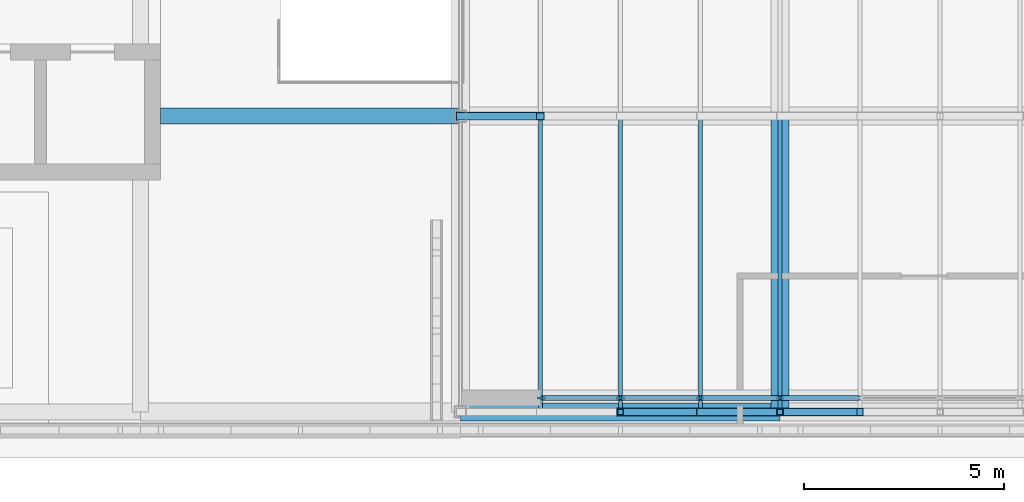
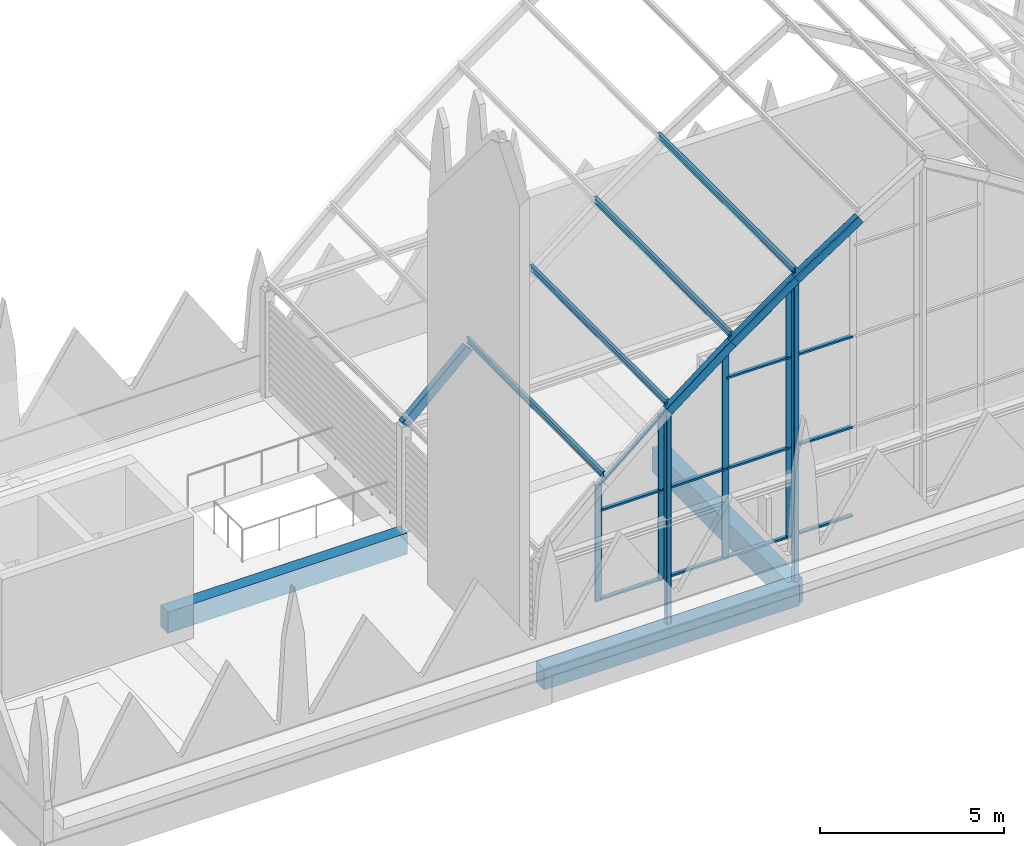
# One storey, part 3 of 18: 28 members, 3 beams, 1 element without a shape of its own.
"""IFC4 building model written with IfcOpenShell, lengths in metres."""

from ifc_helpers import new_model, si_unit, direction, frame, origin, origin_2d, place, context, subcontext, project, spatial, rectangle, hollow_rectangle, i_section, extrude, material, layer, layer_set, material_profile, profile_set, type_object, element, aggregate, save


model = new_model("IFC4")

# Units and contexts
model_context = context("Model", 3, precision=1e-05, world=origin(), true_north=direction((0.0, 1.0)))
body_context = subcontext(model_context, "Body", "Model", "MODEL_VIEW")
ifc_project = project(units=[si_unit("LENGTHUNIT", "METRE"), si_unit("AREAUNIT", "SQUARE_METRE"), si_unit("VOLUMEUNIT", "CUBIC_METRE"), si_unit("PLANEANGLEUNIT", "RADIAN"), si_unit("MASSUNIT", "GRAM", prefix="KILO")], contexts=[model_context])

# Site, building, storey
site_placement = place(None, origin())
site = spatial("IfcSite", under=ifc_project, at=site_placement, CompositionType="ELEMENT")
building_placement = place(site_placement, origin())
building = spatial("IfcBuilding", under=site, at=building_placement, Name="Lantern Court Media Centre", CompositionType="ELEMENT")
storey_placement = place(building_placement, frame((0.0, 0.0, 33.60009765625)))
storey = spatial("IfcBuildingStorey", under=building, at=storey_placement, Name="R00", CompositionType="ELEMENT", Elevation=33.60009765625)

# Curtain wall, members
ifc_material_1 = material(Name="Aluminium and glass", Category="aluminium")
ifc_layer = layer(ifc_material_1, 0.14990234375)
ifc_layer_set = layer_set([ifc_layer], Name="Aluminium and glass")
curtain_wall_type = type_object("IfcCurtainWallType", Name="Hall lancet glazing", PredefinedType="NOTDEFINED", material=ifc_layer_set)
curtain_wall_placement = place(storey_placement, origin())
curtain_wall = element("IfcCurtainWall", 1, at=curtain_wall_placement, inside=storey, type_object=curtain_wall_type, Name="Terrace pavilion HCW-V30 glazing", PredefinedType="NOTDEFINED")
ifc_material_2 = material(Name="Aluminium, anodised", Category="aluminium")
ifc_material_profile_1 = material_profile(ifc_material_2, rectangle(XDim=0.06005859375, YDim=0.199951171875, at=origin_2d()), Name="HM")
ifc_profile_set_1 = profile_set([ifc_material_profile_1], Name="Aluminium, anodised")
member_type_1 = type_object("IfcMemberType", Name="HM", PredefinedType="MULLION", material=ifc_profile_set_1)
member_1_placement = place(storey_placement, frame((42.030029296875, 42.949951171875, 1.199951171875), z_axis=(0.0, 0.0, 1.0), x_axis=(0.0, 1.0, 0.0)))
member_1 = element("IfcMember", 2, at=member_1_placement, type_object=member_type_1, Name="HCW-V30 mullion 1", PredefinedType="MULLION", context=body_context, shape_type="SweptSolid", body=[
    extrude(rectangle(XDim=0.06005859375, YDim=0.199951171875, at=origin_2d()), origin(), (0.0, 0.0, 1.0), 3.875244140625),
])
member_2_placement = place(storey_placement, frame((44.0, 42.949951171875, 1.199951171875), z_axis=(0.0, 0.0, 1.0), x_axis=(0.0, 1.0, 0.0)))
member_2 = element("IfcMember", 3, at=member_2_placement, type_object=member_type_1, Name="HCW-V30 mullion 2", PredefinedType="MULLION", context=body_context, shape_type="SweptSolid", body=[
    extrude(rectangle(XDim=0.06005859375, YDim=0.199951171875, at=origin_2d()), origin(), (0.0, 0.0, 1.0), 5.538818359375),
])
member_3_placement = place(storey_placement, frame((46.0, 42.949951171875, 1.199951171875), z_axis=(0.0, 0.0, 1.0), x_axis=(0.0, 1.0, 0.0)))
member_3 = element("IfcMember", 4, at=member_3_placement, type_object=member_type_1, Name="HCW-V30 mullion 3", PredefinedType="MULLION", context=body_context, shape_type="SweptSolid", body=[
    extrude(rectangle(XDim=0.06005859375, YDim=0.199951171875, at=origin_2d()), origin(), (0.0, 0.0, 1.0), 7.0869140625),
])
member_4_placement = place(storey_placement, frame((48.0, 42.949951171875, 1.199951171875), z_axis=(0.0, 0.0, 1.0), x_axis=(0.0, 1.0, 0.0)))
member_4 = element("IfcMember", 5, at=member_4_placement, type_object=member_type_1, Name="HCW-V30 mullion 4", PredefinedType="MULLION", context=body_context, shape_type="SweptSolid", body=[
    extrude(rectangle(XDim=0.06005859375, YDim=0.199951171875, at=origin_2d()), origin(), (0.0, 0.0, 1.0), 8.50634765625),
])
ifc_material_profile_2 = material_profile(ifc_material_2, rectangle(XDim=0.1201171875, YDim=0.06005859375, at=origin_2d()), Name="HT")
ifc_profile_set_2 = profile_set([ifc_material_profile_2], Name="Aluminium, anodised")
member_type_2 = type_object("IfcMemberType", Name="HT", PredefinedType="USERDEFINED", material=ifc_profile_set_2)
member_5_placement = place(storey_placement, frame((42.06005859375, 42.949951171875, 1.260009765625), z_axis=(1.0, 0.0, 0.0), x_axis=(0.0, 1.0, 0.0)))
member_5 = element("IfcMember", 6, at=member_5_placement, type_object=member_type_2, Name="HCW-V30 transom 1.1", ObjectType="TRANSOM", PredefinedType="USERDEFINED", context=body_context, shape_type="SweptSolid", body=[
    extrude(rectangle(XDim=0.1201171875, YDim=0.06005859375, at=origin_2d()), origin(), (0.0, 0.0, 1.0), 1.909912109375),
])
member_6_placement = place(storey_placement, frame((42.06005859375, 42.949951171875, 4.199951171875), z_axis=(1.0, 0.0, 0.0), x_axis=(0.0, 1.0, 0.0)))
member_6 = element("IfcMember", 7, at=member_6_placement, type_object=member_type_2, Name="HCW-V30 transom 1.2", ObjectType="TRANSOM", PredefinedType="USERDEFINED", context=body_context, shape_type="SweptSolid", body=[
    extrude(rectangle(XDim=0.1201171875, YDim=0.06005859375, at=origin_2d()), origin(), (0.0, 0.0, 1.0), 1.909912109375),
])
member_7_placement = place(storey_placement, frame((42.06005859375, 42.949951171875, 5.04150390625), z_axis=(0.763986053412, 0.0, 0.645232756602), x_axis=(0.0, 1.0, 0.0)))
member_7 = element("IfcMember", 8, at=member_7_placement, type_object=member_type_2, Name="HCW-V30 head member 1", ObjectType="TRANSOM", PredefinedType="USERDEFINED", context=body_context, shape_type="SweptSolid", body=[
    extrude(rectangle(XDim=0.1201171875, YDim=0.06005859375, at=origin_2d()), origin(), (0.0, 0.0, 1.0), 2.5),
])
member_8_placement = place(storey_placement, frame((44.030029296875, 42.949951171875, 1.260009765625), z_axis=(1.0, 0.0, 0.0), x_axis=(0.0, 1.0, 0.0)))
member_8 = element("IfcMember", 9, at=member_8_placement, type_object=member_type_2, Name="HCW-V30 transom 2.1", ObjectType="TRANSOM", PredefinedType="USERDEFINED", context=body_context, shape_type="SweptSolid", body=[
    extrude(rectangle(XDim=0.1201171875, YDim=0.06005859375, at=origin_2d()), origin(), (0.0, 0.0, 1.0), 1.93994140625),
])
member_9_placement = place(storey_placement, frame((44.030029296875, 42.949951171875, 4.199951171875), z_axis=(1.0, 0.0, 0.0), x_axis=(0.0, 1.0, 0.0)))
member_9 = element("IfcMember", 10, at=member_9_placement, type_object=member_type_2, Name="HCW-V30 transom 2.2", ObjectType="TRANSOM", PredefinedType="USERDEFINED", context=body_context, shape_type="SweptSolid", body=[
    extrude(rectangle(XDim=0.1201171875, YDim=0.06005859375, at=origin_2d()), origin(), (0.0, 0.0, 1.0), 1.93994140625),
])
member_10_placement = place(storey_placement, frame((44.030029296875, 42.949951171875, 6.703125), z_axis=(0.790807617855, 0.0, 0.612064793582), x_axis=(0.0, 1.0, 0.0)))
member_10 = element("IfcMember", 11, at=member_10_placement, type_object=member_type_2, Name="HCW-V30 head member 2", ObjectType="TRANSOM", PredefinedType="USERDEFINED", context=body_context, shape_type="SweptSolid", body=[
    extrude(rectangle(XDim=0.1201171875, YDim=0.06005859375, at=origin_2d()), origin(), (0.0, 0.0, 1.0), 2.453125),
])
member_11_placement = place(storey_placement, frame((46.030029296875, 42.949951171875, 1.260009765625), z_axis=(1.0, 0.0, 0.0), x_axis=(0.0, 1.0, 0.0)))
member_11 = element("IfcMember", 12, at=member_11_placement, type_object=member_type_2, Name="HCW-V30 transom 3.1", ObjectType="TRANSOM", PredefinedType="USERDEFINED", context=body_context, shape_type="SweptSolid", body=[
    extrude(rectangle(XDim=0.1201171875, YDim=0.06005859375, at=origin_2d()), origin(), (0.0, 0.0, 1.0), 1.93994140625),
])
member_12_placement = place(storey_placement, frame((46.030029296875, 42.949951171875, 4.199951171875), z_axis=(1.0, 0.0, 0.0), x_axis=(0.0, 1.0, 0.0)))
member_12 = element("IfcMember", 13, at=member_12_placement, type_object=member_type_2, Name="HCW-V30 transom 3.2", ObjectType="TRANSOM", PredefinedType="USERDEFINED", context=body_context, shape_type="SweptSolid", body=[
    extrude(rectangle(XDim=0.1201171875, YDim=0.06005859375, at=origin_2d()), origin(), (0.0, 0.0, 1.0), 1.93994140625),
])
member_13_placement = place(storey_placement, frame((46.030029296875, 42.949951171875, 7.199951171875), z_axis=(1.0, 0.0, 0.0), x_axis=(0.0, 1.0, 0.0)))
member_13 = element("IfcMember", 14, at=member_13_placement, type_object=member_type_2, Name="HCW-V30 transom 3.3", ObjectType="TRANSOM", PredefinedType="USERDEFINED", context=body_context, shape_type="SweptSolid", body=[
    extrude(rectangle(XDim=0.1201171875, YDim=0.06005859375, at=origin_2d()), origin(), (0.0, 0.0, 1.0), 1.93994140625),
])
member_14_placement = place(storey_placement, frame((46.030029296875, 42.949951171875, 8.2490234375), z_axis=(0.815511832387, 0.0, 0.578740400557), x_axis=(0.0, 1.0, 0.0)))
member_14 = element("IfcMember", 15, at=member_14_placement, type_object=member_type_2, Name="HCW-V30 head member 3", ObjectType="TRANSOM", PredefinedType="USERDEFINED", context=body_context, shape_type="SweptSolid", body=[
    extrude(rectangle(XDim=0.1201171875, YDim=0.06005859375, at=origin_2d()), origin(), (0.0, 0.0, 1.0), 2.37890625),
])
member_15_placement = place(storey_placement, frame((48.030029296875, 42.949951171875, 1.260009765625), z_axis=(1.0, 0.0, 0.0), x_axis=(0.0, 1.0, 0.0)))
member_15 = element("IfcMember", 16, at=member_15_placement, type_object=member_type_2, Name="HCW-V30 transom 4.1", ObjectType="TRANSOM", PredefinedType="USERDEFINED", context=body_context, shape_type="SweptSolid", body=[
    extrude(rectangle(XDim=0.1201171875, YDim=0.06005859375, at=origin_2d()), origin(), (0.0, 0.0, 1.0), 1.93994140625),
])
member_16_placement = place(storey_placement, frame((48.030029296875, 42.949951171875, 4.199951171875), z_axis=(1.0, 0.0, 0.0), x_axis=(0.0, 1.0, 0.0)))
member_16 = element("IfcMember", 17, at=member_16_placement, type_object=member_type_2, Name="HCW-V30 transom 4.2", ObjectType="TRANSOM", PredefinedType="USERDEFINED", context=body_context, shape_type="SweptSolid", body=[
    extrude(rectangle(XDim=0.1201171875, YDim=0.06005859375, at=origin_2d()), origin(), (0.0, 0.0, 1.0), 1.93994140625),
])
member_17_placement = place(storey_placement, frame((48.030029296875, 42.949951171875, 7.199951171875), z_axis=(1.0, 0.0, 0.0), x_axis=(0.0, 1.0, 0.0)))
member_17 = element("IfcMember", 18, at=member_17_placement, type_object=member_type_2, Name="HCW-V30 transom 4.3", ObjectType="TRANSOM", PredefinedType="USERDEFINED", context=body_context, shape_type="SweptSolid", body=[
    extrude(rectangle(XDim=0.1201171875, YDim=0.06005859375, at=origin_2d()), origin(), (0.0, 0.0, 1.0), 1.93994140625),
])
member_18_placement = place(storey_placement, frame((48.030029296875, 42.949951171875, 9.66650390625), z_axis=(0.838149483115, 0.0, 0.545440596173), x_axis=(0.0, 1.0, 0.0)))
member_18 = element("IfcMember", 19, at=member_18_placement, type_object=member_type_2, Name="HCW-V30 head member 4", ObjectType="TRANSOM", PredefinedType="USERDEFINED", context=body_context, shape_type="SweptSolid", body=[
    extrude(rectangle(XDim=0.1201171875, YDim=0.06005859375, at=origin_2d()), origin(), (0.0, 0.0, 1.0), 2.314453125),
])
aggregate(curtain_wall, [member_1, member_2, member_3, member_4, member_5, member_6, member_7, member_8, member_9, member_10, member_11, member_12, member_13, member_14, member_15, member_16, member_17, member_18])

# Members
ifc_material_3 = material(Name="Steel S355J2 (EN 10025-2)", Category="steel")
ifc_material_profile_3 = material_profile(ifc_material_3, hollow_rectangle(XDim=0.199951171875, YDim=0.300048828125, WallThickness=0.010009765625, InnerFilletRadius=0.010009765625, OuterFilletRadius=0.014892578125, at=origin_2d()), Name="Pavilion arch RHS 300x200x10")
ifc_profile_set_3 = profile_set([ifc_material_profile_3], Name="Steel S355J2 (EN 10025-2)")
member_type_3 = type_object("IfcMemberType", Name="Pavilion arch RHS 300x200x10", PredefinedType="RAFTER", material=ifc_profile_set_3)
member_19_placement = place(storey_placement, frame((44.0, 42.60009765625, 7.038818359375), z_axis=(0.790779474833, 0.0, 0.612101153554), x_axis=(0.0, 1.0, 0.0)))
element("IfcMember", 20, at=member_19_placement, inside=storey, type_object=member_type_3, Name="Pavilion arch 1 segment 3", PredefinedType="RAFTER", context=body_context, shape_type="SweptSolid", body=[
    extrude(hollow_rectangle(XDim=0.199951171875, YDim=0.300048828125, WallThickness=0.010009765625, InnerFilletRadius=0.010009765625, OuterFilletRadius=0.014892578125, at=origin_2d()), origin(), (0.0, 0.0, 1.0), 2.529052734375),
])
member_20_placement = place(storey_placement, frame((46.0, 42.60009765625, 8.5869140625), z_axis=(0.815538972935, 0.0, 0.578702154501), x_axis=(0.0, 1.0, 0.0)))
element("IfcMember", 21, at=member_20_placement, inside=storey, type_object=member_type_3, Name="Pavilion arch 1 segment 4", PredefinedType="RAFTER", context=body_context, shape_type="SweptSolid", body=[
    extrude(hollow_rectangle(XDim=0.199951171875, YDim=0.300048828125, WallThickness=0.010009765625, InnerFilletRadius=0.010009765625, OuterFilletRadius=0.014892578125, at=origin_2d()), origin(), (0.0, 0.0, 1.0), 2.452392578125),
])
member_21_placement = place(storey_placement, frame((48.0, 42.60009765625, 10.006103515625), z_axis=(0.838153638931, 0.0, 0.5454342101), x_axis=(0.0, 1.0, 0.0)))
element("IfcMember", 22, at=member_21_placement, inside=storey, type_object=member_type_3, Name="Pavilion arch 1 segment 5", PredefinedType="RAFTER", context=body_context, shape_type="SweptSolid", body=[
    extrude(hollow_rectangle(XDim=0.199951171875, YDim=0.300048828125, WallThickness=0.010009765625, InnerFilletRadius=0.010009765625, OuterFilletRadius=0.014892578125, at=origin_2d()), origin(), (0.0, 0.0, 1.0), 2.38623046875),
])
member_22_placement = place(storey_placement, frame((40.0, 50.0, 3.5), z_axis=(0.73434962729, 0.0, 0.678771408428), x_axis=(0.0, 1.0, 0.0)))
element("IfcMember", 23, at=member_22_placement, inside=storey, type_object=member_type_3, Name="Pavilion arch 2 segment 1", PredefinedType="RAFTER", context=body_context, shape_type="SweptSolid", body=[
    extrude(hollow_rectangle(XDim=0.199951171875, YDim=0.300048828125, WallThickness=0.010009765625, InnerFilletRadius=0.010009765625, OuterFilletRadius=0.014892578125, at=origin_2d()), origin(), (0.0, 0.0, 1.0), 2.723388671875),
])
ifc_material_profile_4 = material_profile(ifc_material_3, hollow_rectangle(XDim=0.14990234375, YDim=0.14990234375, WallThickness=0.00634765625, InnerFilletRadius=0.00634765625, OuterFilletRadius=0.009521484375, at=origin_2d()), Name="Pavilion gable post SHS 150x6.3")
ifc_profile_set_4 = profile_set([ifc_material_profile_4], Name="Steel S355J2 (EN 10025-2)")
member_type_4 = type_object("IfcMemberType", Name="Pavilion gable post SHS 150x6.3", PredefinedType="POST", material=ifc_profile_set_4)
member_23_placement = place(storey_placement, frame((44.0, 42.60009765625, 0.0), z_axis=(0.0, 0.0, 1.0), x_axis=(1.0, 0.0, 0.0)))
element("IfcMember", 24, at=member_23_placement, inside=storey, type_object=member_type_4, Name="Pavilion gable post 44", PredefinedType="POST", context=body_context, shape_type="SweptSolid", body=[
    extrude(hollow_rectangle(XDim=0.14990234375, YDim=0.14990234375, WallThickness=0.00634765625, InnerFilletRadius=0.00634765625, OuterFilletRadius=0.009521484375, at=origin_2d()), origin(), (0.0, 0.0, 1.0), 7.038818359375),
])
member_24_placement = place(storey_placement, frame((48.0, 42.60009765625, 0.0), z_axis=(0.0, 0.0, 1.0), x_axis=(1.0, 0.0, 0.0)))
element("IfcMember", 25, at=member_24_placement, inside=storey, type_object=member_type_4, Name="Pavilion gable post 48", PredefinedType="POST", context=body_context, shape_type="SweptSolid", body=[
    extrude(hollow_rectangle(XDim=0.14990234375, YDim=0.14990234375, WallThickness=0.00634765625, InnerFilletRadius=0.00634765625, OuterFilletRadius=0.009521484375, at=origin_2d()), origin(), (0.0, 0.0, 1.0), 10.006103515625),
])
ifc_material_profile_5 = material_profile(ifc_material_3, i_section(OverallWidth=0.10009765625, OverallDepth=0.199951171875, WebThickness=0.005615234375, FlangeThickness=0.008544921875, FilletRadius=0.011962890625, at=origin_2d()), Name="IPE 200")
ifc_profile_set_5 = profile_set([ifc_material_profile_5], Name="Steel S355J2 (EN 10025-2)")
member_type_5 = type_object("IfcMemberType", Name="Pavilion purlin IPE 200", PredefinedType="PURLIN", material=ifc_profile_set_5)
for number, where, z_axis, x_axis, name in (
    (26, (42.0, 42.60009765625, 5.5986328125), (0.0, 1.0, 0.0), (-1.0, 0.0, 0.0), "Pavilion purlin 2-1"),
    (27, (44.0, 42.60009765625, 7.288818359375), (0.0, 1.0, 0.0), (-1.0, 0.0, 0.0), "Pavilion purlin 3-1"),
    (28, (46.0, 42.60009765625, 8.8369140625), (0.0, 1.0, 0.0), (-1.0, 0.0, 0.0), "Pavilion purlin 4-1"),
    (29, (48.0, 42.60009765625, 10.256103515625), (0.0, 1.0, 0.0), (-1.0, 0.0, 0.0), "Pavilion purlin 5-1"),
):
    element("IfcMember", number, at=place(storey_placement, frame(where, z_axis=z_axis, x_axis=x_axis)), inside=storey, type_object=member_type_5, Name=name, PredefinedType="PURLIN", context=body_context, shape_type="SweptSolid", body=[
        extrude(i_section(OverallWidth=0.10009765625, OverallDepth=0.199951171875, WebThickness=0.005615234375, FlangeThickness=0.008544921875, FilletRadius=0.011962890625, at=origin_2d()), origin(), (0.0, 0.0, 1.0), 7.39990234375),
    ])

# Beams
ifc_material_4 = material(Name="Concrete C35", Category="concrete")
ifc_material_profile_6 = material_profile(ifc_material_4, rectangle(XDim=0.39990234375, YDim=0.699951171875, at=origin_2d()), Name="RC 400x700")
ifc_profile_set_6 = profile_set([ifc_material_profile_6], Name="Concrete C35")
beam_type_1 = type_object("IfcBeamType", Name="RC BEAM 400x700", PredefinedType="BEAM", material=ifc_profile_set_6)
beam_1_placement = place(storey_placement, frame((32.5, 50.0, -0.35009765625), z_axis=(1.0, 0.0, 0.0), x_axis=(0.0, 1.0, 0.0)))
element("IfcBeam", 30, at=beam_1_placement, inside=storey, type_object=beam_type_1, Name="LB-S-R00-1-01", PredefinedType="BEAM", context=body_context, shape_type="SweptSolid", body=[
    extrude(rectangle(XDim=0.39990234375, YDim=0.699951171875, at=origin_2d()), origin(), (0.0, 0.0, 1.0), 7.5),
])
ifc_material_profile_7 = material_profile(ifc_material_4, rectangle(XDim=0.449951171875, YDim=0.699951171875, at=origin_2d()), Name="RC 450x700")
ifc_profile_set_7 = profile_set([ifc_material_profile_7], Name="Concrete C35")
beam_type_2 = type_object("IfcBeamType", Name="RC BEAM 450x700", PredefinedType="BEAM", material=ifc_profile_set_7)
beam_2_placement = place(storey_placement, frame((40.0, 42.60009765625, -0.35009765625), z_axis=(1.0, 0.0, 0.0), x_axis=(0.0, 1.0, 0.0)))
element("IfcBeam", 31, at=beam_2_placement, inside=storey, type_object=beam_type_2, Name="LB-S-R00-0-2", PredefinedType="BEAM", context=body_context, shape_type="SweptSolid", body=[
    extrude(rectangle(XDim=0.449951171875, YDim=0.699951171875, at=origin_2d()), origin(), (0.0, 0.0, 1.0), 8.0),
])
ifc_material_profile_8 = material_profile(ifc_material_4, rectangle(XDim=0.449951171875, YDim=0.800048828125, at=origin_2d()), Name="RC 450x800")
ifc_profile_set_8 = profile_set([ifc_material_profile_8], Name="Concrete C35")
beam_type_3 = type_object("IfcBeamType", Name="RC BEAM 450x800", PredefinedType="BEAM", material=ifc_profile_set_8)
beam_3_placement = place(storey_placement, frame((48.0, 42.60009765625, -0.400146484375), z_axis=(0.0, 1.0, 0.0), x_axis=(-1.0, 0.0, 0.0)))
element("IfcBeam", 32, at=beam_3_placement, inside=storey, type_object=beam_type_3, Name="TB-S-R00-3-1", PredefinedType="BEAM", context=body_context, shape_type="SweptSolid", body=[
    extrude(rectangle(XDim=0.449951171875, YDim=0.800048828125, at=origin_2d()), origin(), (0.0, 0.0, 1.0), 7.39990234375),
])

save(model, "model.ifc")
